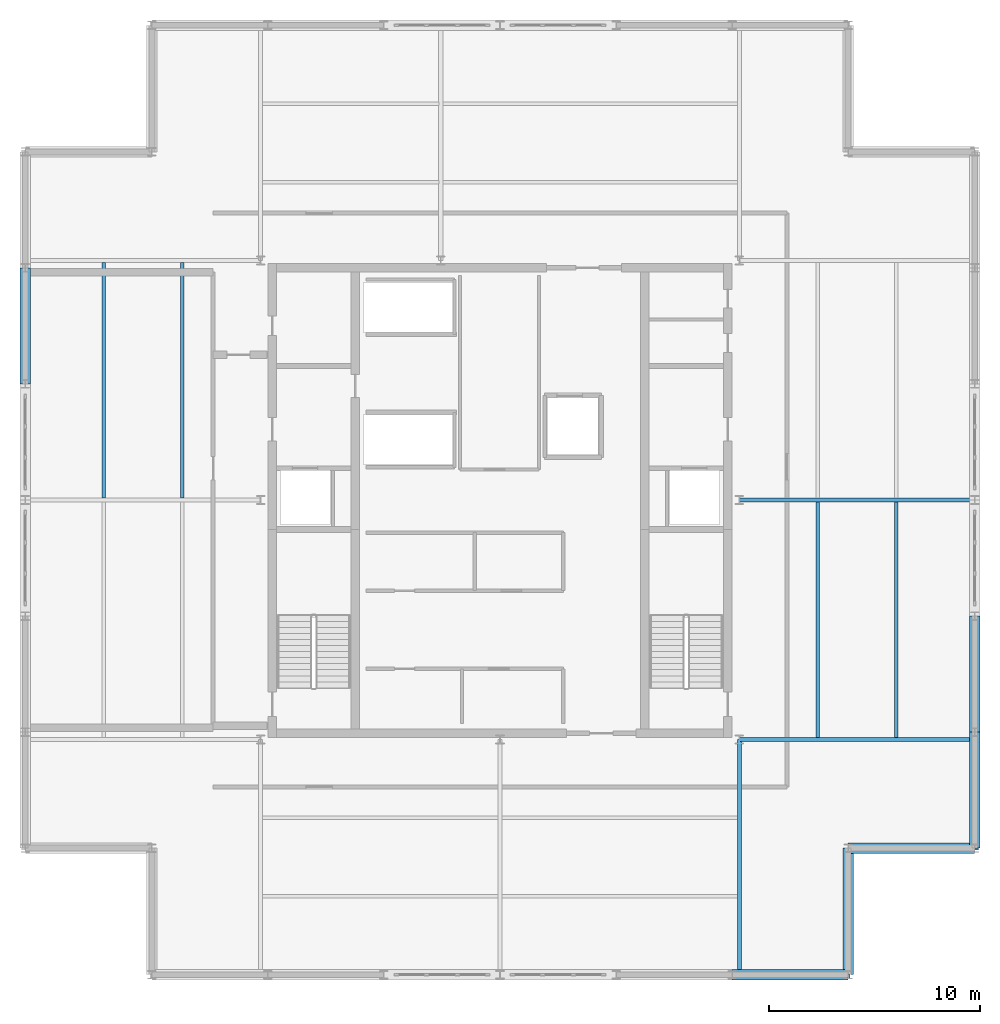
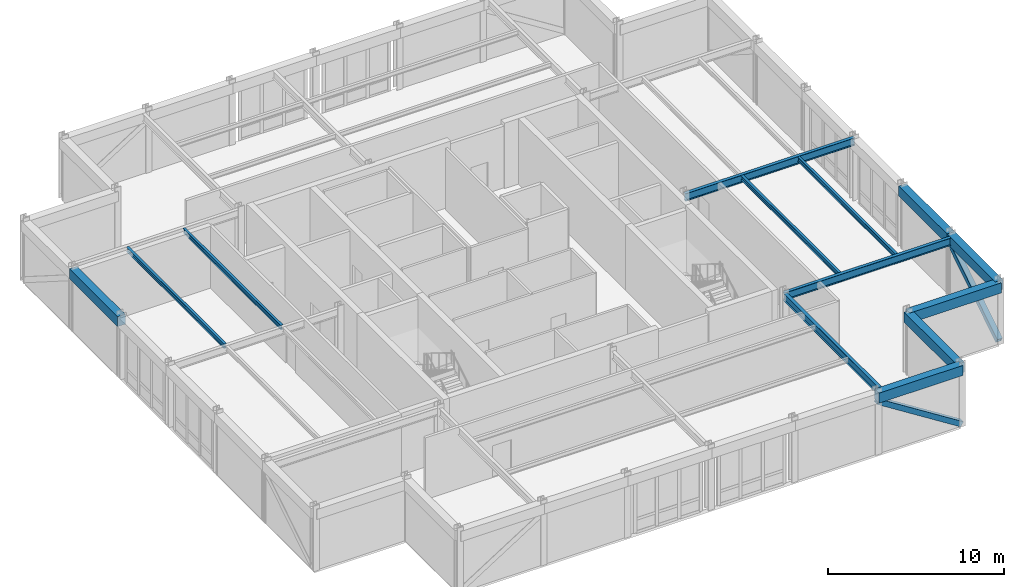
# One storey, part 3 of 9: 13 beams, 2 members.
"""IFC4 building model written with IfcOpenShell, lengths in metres."""

from ifc_helpers import new_model, si_unit, direction, frame, origin, origin_2d, place, context, subcontext, project, spatial, rectangle, hollow_rectangle, i_section, extrude, material, material_profile, profile_set, type_object, element, save


model = new_model("IFC4")

# Units and contexts
model_context = context("Model", 3, precision=1e-05, world=origin(), true_north=direction((0.0, 1.0)))
body_context = subcontext(model_context, "Body", "Model", "MODEL_VIEW")
ifc_project = project(units=[si_unit("LENGTHUNIT", "METRE"), si_unit("AREAUNIT", "SQUARE_METRE"), si_unit("VOLUMEUNIT", "CUBIC_METRE"), si_unit("PLANEANGLEUNIT", "RADIAN"), si_unit("MASSUNIT", "GRAM", prefix="KILO")], contexts=[model_context])

# Site, building, storey
site_placement = place(None, origin())
site = spatial("IfcSite", under=ifc_project, at=site_placement, CompositionType="ELEMENT")
building_placement = place(site_placement, origin())
building = spatial("IfcBuilding", under=site, at=building_placement, Name="Nhamokura Convention Tower", CompositionType="ELEMENT")
storey_placement = place(building_placement, frame((0.0, 0.0, 313.25)))
storey = spatial("IfcBuildingStorey", under=building, at=storey_placement, Name="L77", CompositionType="ELEMENT", Elevation=313.25)

# Beams
ifc_material_1 = material(Name="Steel ASTM A992 Gr 50", Category="steel")
ifc_material_profile_1 = material_profile(ifc_material_1, i_section(OverallWidth=0.166015625, OverallDepth=0.31298828125, WebThickness=0.006591796875, FlangeThickness=0.01123046875, at=origin_2d()))
ifc_profile_set_1 = profile_set([ifc_material_profile_1], Name="Steel ASTM A992 Gr 50")
beam_type_1 = type_object("IfcBeamType", Name="FloorJoist_W310X45", PredefinedType="JOIST", material=ifc_profile_set_1)
for number, where, z_axis, x_axis, name in (
    (1, (13.216796875, 32.1025390625, 4.133544921875), (0.0, 1.0, 0.0), (-1.0, 0.0, 0.0), "L77 Composite Floor Joist W1B"),
    (2, (16.933349609375, 32.1025390625, 4.133544921875), (0.0, 1.0, 0.0), (-1.0, 0.0, 0.0), "L77 Composite Floor Joist W2B"),
    (3, (47.066650390625, 20.75244140625, 4.133544921875), (0.0, 1.0, 0.0), (-1.0, 0.0, 0.0), "L77 Composite Floor Joist E1A"),
    (4, (50.783203125, 20.75244140625, 4.133544921875), (0.0, 1.0, 0.0), (-1.0, 0.0, 0.0), "L77 Composite Floor Joist E2A"),
):
    element("IfcBeam", number, at=place(storey_placement, frame(where, z_axis=z_axis, x_axis=x_axis)), inside=storey, type_object=beam_type_1, Name=name, PredefinedType="JOIST", context=body_context, shape_type="SweptSolid", body=[
        extrude(i_section(OverallWidth=0.166015625, OverallDepth=0.31298828125, WebThickness=0.006591796875, FlangeThickness=0.01123046875, at=origin_2d()), origin(), (0.0, 0.0, 1.0), 11.14501953125),
    ])
ifc_material_2 = material(Name="Steel ASTM A992 Gr 50", Category="steel")
ifc_material_profile_2 = material_profile(ifc_material_2, i_section(OverallWidth=0.208984375, OverallDepth=0.532958984375, WebThickness=0.01025390625, FlangeThickness=0.015625, at=origin_2d()))
ifc_profile_set_2 = profile_set([ifc_material_profile_2], Name="Steel ASTM A992 Gr 50")
beam_type_2 = type_object("IfcBeamType", Name="PrimaryGirder_W530X92", PredefinedType="BEAM", material=ifc_profile_set_2)
for number, where, z_axis, x_axis, name in (
    (5, (43.35009765625, 9.5, 4.0234375), (0.0, 1.0, 0.0), (-1.0, 0.0, 0.0), "L77 Primary Floor Girder PG-S3"),
    (6, (43.35009765625, 20.64990234375, 4.0234375), (1.0, 0.0, 0.0), (0.0, 1.0, 0.0), "L77 Primary Floor Girder PG-E1"),
    (7, (43.35009765625, 32.0, 4.0234375), (1.0, 0.0, 0.0), (0.0, 1.0, 0.0), "L77 Primary Floor Girder PG-E2"),
):
    element("IfcBeam", number, at=place(storey_placement, frame(where, z_axis=z_axis, x_axis=x_axis)), inside=storey, type_object=beam_type_2, Name=name, PredefinedType="BEAM", context=body_context, shape_type="SweptSolid", body=[
        extrude(i_section(OverallWidth=0.208984375, OverallDepth=0.532958984375, WebThickness=0.01025390625, FlangeThickness=0.015625, at=origin_2d()), origin(), (0.0, 0.0, 1.0), 11.14990234375),
    ])

# Members
ifc_material_3 = material(Name="Steel ASTM A572 Gr 50", Category="steel")
ifc_material_profile_3 = material_profile(ifc_material_3, hollow_rectangle(XDim=0.35009765625, YDim=0.35009765625, WallThickness=0.01611328125, at=origin_2d()))
ifc_profile_set_3 = profile_set([ifc_material_profile_3], Name="Steel ASTM A572 Gr 50")
member_type = type_object("IfcMemberType", Name="TubeBrace_HSS350", PredefinedType="BRACE", material=ifc_profile_set_3)
for number, where, z_axis, x_axis, name in (
    (8, (48.5, 9.5, 0.14990234375), (-0.84435681045, 0.0, 0.535781276872), (0.0, -1.0, 0.0), "L77 Perimeter Tube Brace SOUTH Bay 5"),
    (9, (54.5, 15.5, 0.14990234375), (0.0, 0.84435681045, 0.535781276872), (-1.0, 0.0, 0.0), "L77 Perimeter Tube Brace EAST Bay 0"),
):
    element("IfcMember", number, at=place(storey_placement, frame(where, z_axis=z_axis, x_axis=x_axis)), inside=storey, type_object=member_type, Name=name, PredefinedType="BRACE", context=body_context, shape_type="SweptSolid", body=[
        extrude(hollow_rectangle(XDim=0.35009765625, YDim=0.35009765625, WallThickness=0.01611328125, at=origin_2d()), origin(), (0.0, 0.0, 1.0), 6.513916015625),
    ])

# Beams
ifc_material_4 = material(Name="Concrete C50/60", Category="concrete")
ifc_material_profile_4 = material_profile(ifc_material_4, rectangle(XDim=0.5, YDim=0.699951171875, at=origin_2d()))
ifc_profile_set_4 = profile_set([ifc_material_profile_4], Name="Concrete C50/60")
beam_type_3 = type_object("IfcBeamType", Name="TubeSpandrel_700", PredefinedType="SPANDREL", material=ifc_profile_set_4)
for number, where, z_axis, x_axis, name in (
    (10, (43.0, 9.5, 3.93994140625), (1.0, 0.0, 0.0), (0.0, 1.0, 0.0), "L77 Perimeter Spandrel SOUTH 6"),
    (11, (9.5, 37.5, 3.93994140625), (0.0, 1.0, 0.0), (-1.0, 0.0, 0.0), "L77 Perimeter Spandrel WEST 5"),
    (12, (54.5, 15.5, 3.93994140625), (0.0, 1.0, 0.0), (-1.0, 0.0, 0.0), "L77 Perimeter Spandrel EAST 1"),
    (13, (54.5, 21.0, 3.93994140625), (0.0, 1.0, 0.0), (-1.0, 0.0, 0.0), "L77 Perimeter Spandrel EAST 2"),
):
    element("IfcBeam", number, at=place(storey_placement, frame(where, z_axis=z_axis, x_axis=x_axis)), inside=storey, type_object=beam_type_3, Name=name, PredefinedType="SPANDREL", context=body_context, shape_type="SweptSolid", body=[
        extrude(rectangle(XDim=0.5, YDim=0.699951171875, at=origin_2d()), origin(), (0.0, 0.0, 1.0), 5.5),
    ])
for number, where, z_axis, x_axis, name in (
    (14, (48.5, 9.5, 3.93994140625), (0.0, 1.0, 0.0), (-1.0, 0.0, 0.0), "L77 Notch Spandrel SE1"),
    (15, (48.5, 15.5, 3.93994140625), (1.0, 0.0, 0.0), (0.0, 1.0, 0.0), "L77 Notch Spandrel SE2"),
):
    element("IfcBeam", number, at=place(storey_placement, frame(where, z_axis=z_axis, x_axis=x_axis)), inside=storey, type_object=beam_type_3, Name=name, PredefinedType="SPANDREL", context=body_context, shape_type="SweptSolid", body=[
        extrude(rectangle(XDim=0.5, YDim=0.699951171875, at=origin_2d()), origin(), (0.0, 0.0, 1.0), 6.0),
    ])

save(model, "model.ifc")
